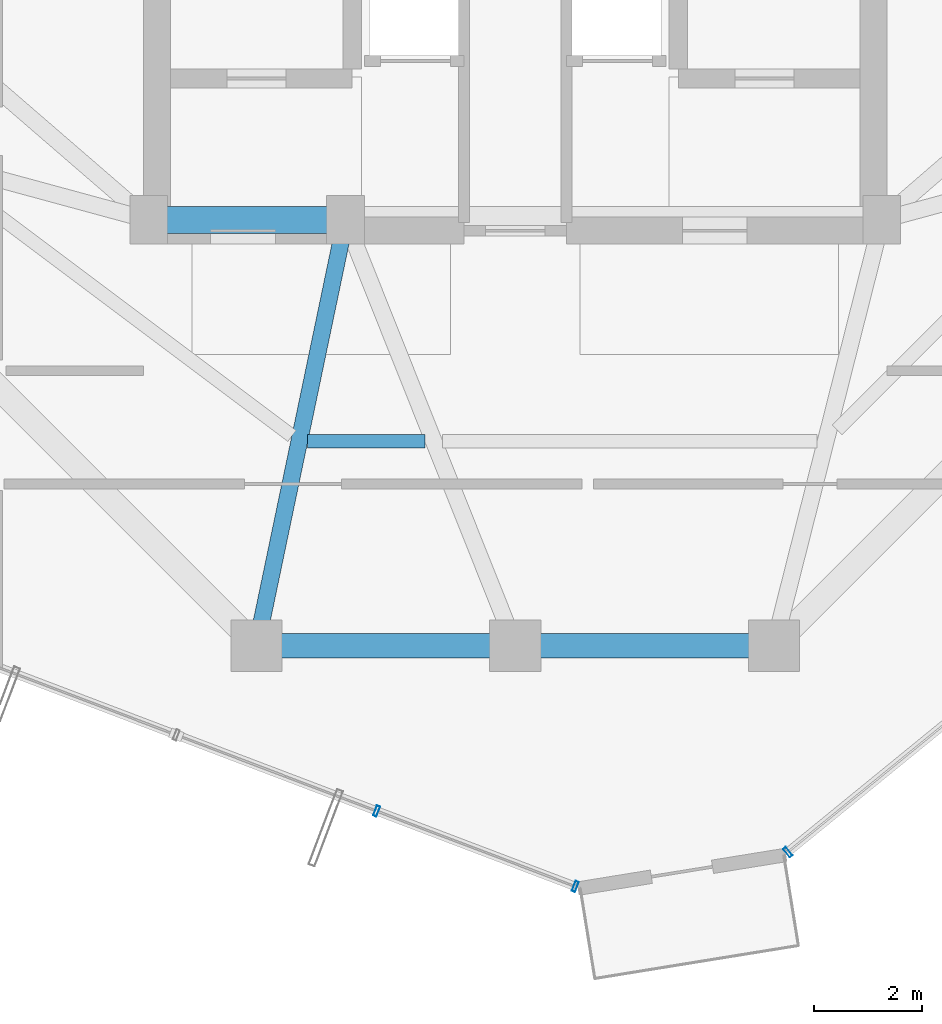
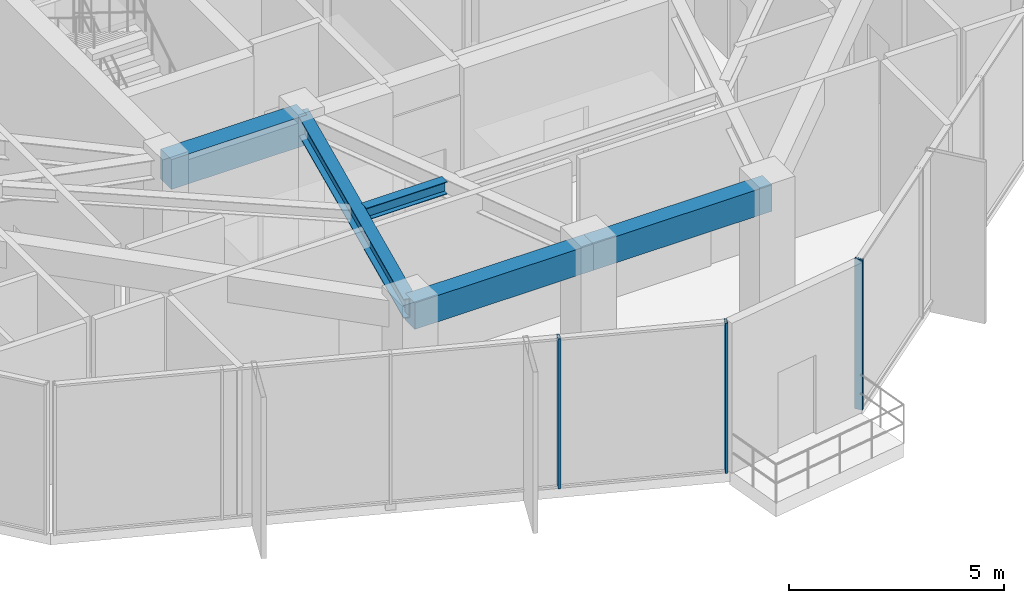
# One storey, part 4 of 22: 5 beams, 3 members, 2 elements without a shape of their own.
"""IFC4 building model written with IfcOpenShell, lengths in metres."""

from ifc_helpers import new_model, si_unit, direction, frame, origin, origin_2d, place, context, subcontext, project, spatial, rectangle, hollow_rectangle, i_section, extrude, source, transform, mapped, material, layer, layer_set, material_profile, profile_set, type_object, element, aggregate, save


model = new_model("IFC4")

# Units and contexts
model_context = context("Model", 3, precision=1e-05, world=origin(), true_north=direction((0.0, 1.0)))
body_context = subcontext(model_context, "Body", "Model", "MODEL_VIEW")
ifc_project = project(units=[si_unit("LENGTHUNIT", "METRE"), si_unit("AREAUNIT", "SQUARE_METRE"), si_unit("VOLUMEUNIT", "CUBIC_METRE"), si_unit("PLANEANGLEUNIT", "RADIAN"), si_unit("MASSUNIT", "GRAM", prefix="KILO")], contexts=[model_context])

# Site, building, storey
site_placement = place(None, origin())
site = spatial("IfcSite", under=ifc_project, at=site_placement, CompositionType="ELEMENT")
building_placement = place(site_placement, origin())
building = spatial("IfcBuilding", under=site, at=building_placement, Name="Veraguas Prism Commons", CompositionType="ELEMENT")
storey_placement = place(building_placement, frame((0.0, 0.0, 174.35009765625)))
storey = spatial("IfcBuildingStorey", under=building, at=storey_placement, Name="L49", CompositionType="ELEMENT", Elevation=174.35009765625)

# Beams
ifc_material_1 = material(Name="Concrete C50/60", Category="concrete")
ifc_material_profile_1 = material_profile(ifc_material_1, rectangle(XDim=0.5, YDim=0.85009765625, at=origin_2d()), Name="RC500X850")
ifc_profile_set_1 = profile_set([ifc_material_profile_1], Name="Concrete C50/60")
beam_type_1 = type_object("IfcBeamType", Name="Core Coupling Beam RC 500x850", PredefinedType="BEAM", material=ifc_profile_set_1)
beam_1_placement = place(storey_placement, frame((17.199951171875, 17.0, 3.83984375), z_axis=(1.0, 0.0, 0.0), x_axis=(0.0, 1.0, 0.0)))
element("IfcBeam", 1, at=beam_1_placement, inside=storey, type_object=beam_type_1, Name="Core Coupling Beam L49-CRS1", PredefinedType="BEAM", context=body_context, shape_type="SweptSolid", body=[
    extrude(rectangle(XDim=0.5, YDim=0.85009765625, at=origin_2d()), origin(), (0.0, 0.0, 1.0), 3.650146484375),
])
ifc_material_profile_2 = material_profile(ifc_material_1, rectangle(XDim=0.449951171875, YDim=0.75, at=origin_2d()), Name="RC450X750")
ifc_profile_set_2 = profile_set([ifc_material_profile_2], Name="Concrete C50/60")
beam_type_2 = type_object("IfcBeamType", Name="Perimeter Spandrel Upper RC 450x750", PredefinedType="SPANDREL", material=ifc_profile_set_2)
for number, where, z_axis, x_axis, name in (
    (2, (19.199951171875, 9.10009765625, 3.889892578125), (1.0, 0.0, 0.0), (0.0, 1.0, 0.0), "Perimeter Spandrel Beam L49-SP10"),
    (3, (24.0, 9.10009765625, 3.889892578125), (1.0, 0.0, 0.0), (0.0, 1.0, 0.0), "Perimeter Spandrel Beam L49-SP11"),
):
    element("IfcBeam", number, at=place(storey_placement, frame(where, z_axis=z_axis, x_axis=x_axis)), inside=storey, type_object=beam_type_2, Name=name, PredefinedType="SPANDREL", context=body_context, shape_type="SweptSolid", body=[
        extrude(rectangle(XDim=0.449951171875, YDim=0.75, at=origin_2d()), origin(), (0.0, 0.0, 1.0), 4.800048828125),
    ])
ifc_material_2 = material(Name="Steel ASTM A992 Grade 50", Category="steel")
ifc_material_profile_3 = material_profile(ifc_material_2, i_section(OverallWidth=0.25390625, OverallDepth=0.35302734375, WebThickness=0.009521484375, FlangeThickness=0.016357421875, at=origin_2d()), Name="W360X91")
ifc_profile_set_3 = profile_set([ifc_material_profile_3], Name="Steel ASTM A992 Grade 50")
beam_type_3 = type_object("IfcBeamType", Name="Upper Floor Joist W360x91", PredefinedType="JOIST", material=ifc_profile_set_3)
beam_2_placement = place(storey_placement, frame((20.148681640625, 12.89208984375, 4.08837890625), z_axis=(1.0, 0.0, 0.0), x_axis=(0.0, 1.0, 0.0)))
element("IfcBeam", 4, at=beam_2_placement, inside=storey, type_object=beam_type_3, Name="Composite Floor Joist L49-JS10", PredefinedType="JOIST", context=body_context, shape_type="SweptSolid", body=[
    extrude(i_section(OverallWidth=0.25390625, OverallDepth=0.35302734375, WebThickness=0.009521484375, FlangeThickness=0.016357421875, at=origin_2d()), origin(), (0.0, 0.0, 1.0), 2.174072265625),
])
ifc_material_profile_4 = material_profile(ifc_material_2, i_section(OverallWidth=0.31103515625, OverallDepth=0.5458984375, WebThickness=0.0146484375, FlangeThickness=0.023681640625, at=origin_2d()), Name="W530X165")
ifc_profile_set_4 = profile_set([ifc_material_profile_4], Name="Steel ASTM A992 Grade 50")
beam_type_4 = type_object("IfcBeamType", Name="Zone 3 Radial Girder W530x165", PredefinedType="BEAM", material=ifc_profile_set_4)
beam_3_placement = place(storey_placement, frame((19.199951171875, 9.10009765625, 3.991943359375), z_axis=(0.204468851168, 0.978873070884, 0.0), x_axis=(-0.978873070884, 0.204468851168, 0.0)))
element("IfcBeam", 5, at=beam_3_placement, inside=storey, type_object=beam_type_4, Name="Radial Floor Girder L49-RD10", PredefinedType="BEAM", context=body_context, shape_type="SweptSolid", body=[
    extrude(i_section(OverallWidth=0.31103515625, OverallDepth=0.5458984375, WebThickness=0.0146484375, FlangeThickness=0.023681640625, at=origin_2d()), origin(), (0.0, 0.0, 1.0), 8.0703125),
])

# Curtain wall, members
ifc_material_3 = material(Name="Anodised aluminium EN AW-6063 T6", Category="aluminium")
ifc_layer = layer(ifc_material_3, 0.199951171875, Name="Sky Lobby and Pool Acoustic Curtain Wall", Category="aluminium")
ifc_layer_set = layer_set([ifc_layer], Name="Anodised aluminium EN AW-6063 T6")
curtain_wall_type = type_object("IfcCurtainWallType", Name="Sky Lobby and Pool Acoustic Curtain Wall", PredefinedType="NOTDEFINED", material=ifc_layer_set)
curtain_wall_1_placement = place(storey_placement, origin())
curtain_wall_1 = element("IfcCurtainWall", 6, at=curtain_wall_1_placement, inside=storey, type_object=curtain_wall_type, Name="Tower Facade Curtain Wall L49-F4", PredefinedType="NOTDEFINED")
ifc_material_profile_5 = material_profile(ifc_material_3, hollow_rectangle(XDim=0.06494140625, YDim=0.199951171875, WallThickness=0.00390625, at=origin_2d()), Name="AL65X200X4")
ifc_profile_set_5 = profile_set([ifc_material_profile_5], Name="Anodised aluminium EN AW-6063 T6")
member_type = type_object("IfcMemberType", Name="Curtain Wall Mullion Heavy AL 65x200x4", PredefinedType="MULLION", material=ifc_profile_set_5)
shared_shape = source(origin(), body_context, "Body", "SweptSolid", [
    extrude(hollow_rectangle(XDim=0.06494140625, YDim=0.199951171875, WallThickness=0.00390625, at=origin_2d()), origin(), (0.0, 0.0, 1.0), 4.264892578125),
])
member_1_placement = place(storey_placement, frame((21.427490234375, 6.0322265625, 0.0), z_axis=(0.0, 0.0, 1.0), x_axis=(0.934825056616, -0.355108593986, 0.0)))
member_1 = element("IfcMember", 7, at=member_1_placement, type_object=member_type, Name="CW-SKY Mullion 4", PredefinedType="MULLION", context=body_context, shape_type="MappedRepresentation", body=[
    mapped(shared_shape, transform((0.0, 0.0, 0.0), scale=1.0)),
])
member_2_placement = place(storey_placement, frame((25.113525390625, 4.632080078125, 0.0), z_axis=(0.0, 0.0, 1.0), x_axis=(0.934825056616, -0.355108593986, 0.0)))
member_2 = element("IfcMember", 8, at=member_2_placement, type_object=member_type, Name="CW-SKY Mullion 5", PredefinedType="MULLION", context=body_context, shape_type="MappedRepresentation", body=[
    mapped(shared_shape, transform((0.0, 0.0, 0.0), scale=1.0)),
])
aggregate(curtain_wall_1, [member_1, member_2])

# Curtain wall, member
curtain_wall_2_placement = place(storey_placement, origin())
curtain_wall_2 = element("IfcCurtainWall", 9, at=curtain_wall_2_placement, inside=storey, type_object=curtain_wall_type, Name="Tower Facade Curtain Wall L49-F5", PredefinedType="NOTDEFINED")
member_3_placement = place(storey_placement, frame((29.056884765625, 5.270751953125, 0.0), z_axis=(0.0, 0.0, 1.0), x_axis=(0.774941179396, 0.632033360256, 0.0)))
member_3 = element("IfcMember", 10, at=member_3_placement, type_object=member_type, Name="CW-SKY Mullion 1", PredefinedType="MULLION", context=body_context, shape_type="MappedRepresentation", body=[
    mapped(shared_shape, transform((0.0, 0.0, 0.0), scale=1.0)),
])
aggregate(curtain_wall_2, [member_3])

save(model, "model.ifc")
